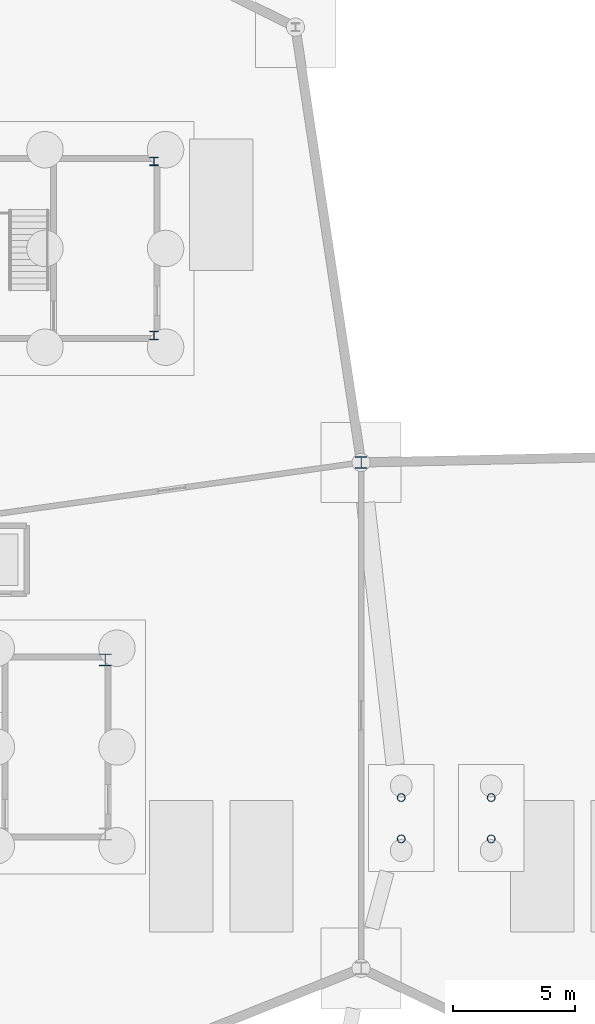
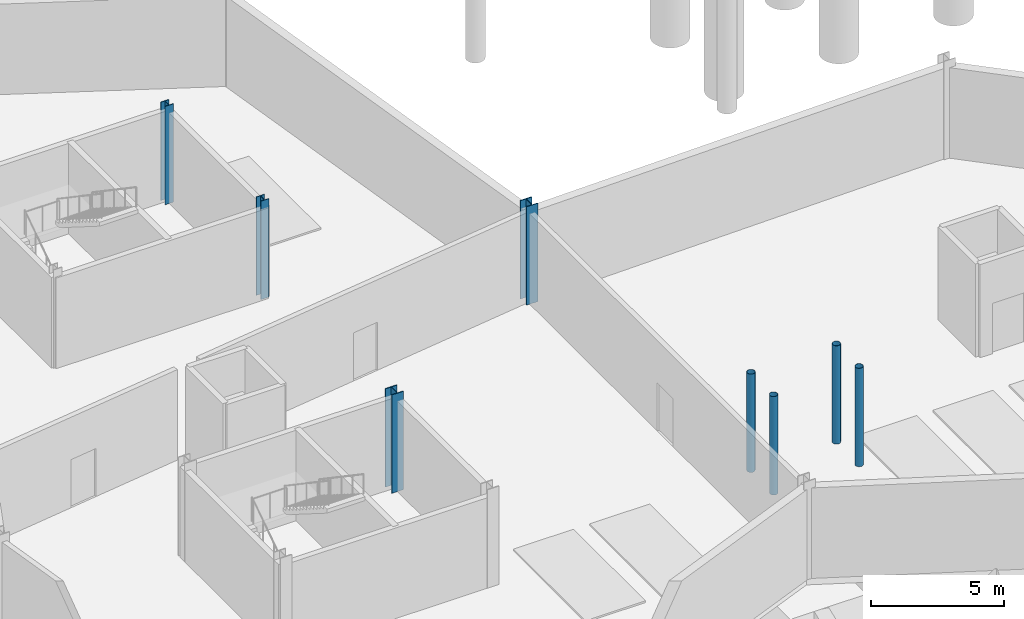
# One storey, part 13 of 37: 8 columns.
"""IFC4 building model written with IfcOpenShell, lengths in metres."""

import ifcopenshell
import ifcopenshell.guid

model = None  # the IFC model being written
_history = None  # IfcOwnerHistory: only IFC2X3 demands one
_inside = {}  # id of a spatial element -> (the spatial element, [elements in it])
_under = {}  # id of a project, library or spatial element -> (it, [spatial elements below it])
_declared = {}  # id of a project -> (the project, [libraries it declares])
_typed = {}  # id of a type object -> (the type object, [elements of that type])
_made_of = {}  # id of a material, layer set ... -> (it, [elements and type objects made of it])


def new_model(schema):
    """Start an empty IFC model of exactly this schema.

    Asked for "IFC4X3", IfcOpenShell would pick the latest addendum, in which some entities
    have other attributes; the version numbers below select the first issue.
    IFC2X3 requires an IfcOwnerHistory on every rooted entity: one is made here for all.
    """
    global model, _history
    if schema == "IFC4X3":
        model = ifcopenshell.file(schema_version=(4, 3, 0, 0))
    else:
        model = ifcopenshell.file(schema=schema)
    _inside.clear()
    _under.clear()
    _declared.clear()
    _typed.clear()
    _made_of.clear()
    _history = None
    if model.schema == "IFC2X3":
        org = make("IfcOrganization", Name="unknown")
        user = make(
            "IfcPersonAndOrganization",
            ThePerson=make("IfcPerson", FamilyName="unknown"),
            TheOrganization=org,
        )
        app = make(
            "IfcApplication",
            ApplicationDeveloper=org,
            Version="unknown",
            ApplicationFullName="unknown",
            ApplicationIdentifier="unknown",
        )
        _history = make(
            "IfcOwnerHistory",
            OwningUser=user,
            OwningApplication=app,
            ChangeAction="ADDED",
            CreationDate=0,
        )
    return model


def make(cls, **values):
    """One entity of the class cls with the attributes given. An attribute that is None is left unset."""
    return model.create_entity(
        cls, **{name: value for name, value in values.items() if value is not None}
    )


def rooted(cls, **values):
    """An entity with a GlobalId (a new one), such as an element, a storey or a relation."""
    return make(cls, GlobalId=ifcopenshell.guid.new(), OwnerHistory=_history, **values)


def si_unit(unit_type, name, prefix=None):
    """IfcSIUnit, for example si_unit("LENGTHUNIT", "METRE", prefix="MILLI")."""
    return make("IfcSIUnit", UnitType=unit_type, Prefix=prefix, Name=name)


def assignment(units):
    """IfcUnitAssignment: the units of a project."""
    return None if units is None else make("IfcUnitAssignment", Units=units)


def point(xyz):
    """IfcCartesianPoint."""
    return None if xyz is None else make("IfcCartesianPoint", Coordinates=xyz)


def direction(xyz):
    """IfcDirection."""
    return None if xyz is None else make("IfcDirection", DirectionRatios=xyz)


def frame(location, z_axis=None, x_axis=None):
    """IfcAxis2Placement3D, a coordinate frame: its origin and axes. An axis left out is left unset."""
    return make(
        "IfcAxis2Placement3D",
        Location=point(location),
        Axis=direction(z_axis),
        RefDirection=direction(x_axis),
    )


def frame_2d(location, x_axis=None):
    """IfcAxis2Placement2D, a coordinate frame in the plane: its origin and x axis."""
    return make(
        "IfcAxis2Placement2D", Location=point(location), RefDirection=direction(x_axis)
    )


def origin():
    """The frame at (0, 0, 0) with its axes left unset."""
    return frame((0.0, 0.0, 0.0))


def origin_2d():
    """The frame at (0, 0) in the plane with its x axis left unset."""
    return frame_2d((0.0, 0.0))


def place(relative_to, where):
    """IfcLocalPlacement: puts the frame where relative to a parent placement (None: the world)."""
    return make(
        "IfcLocalPlacement", PlacementRelTo=relative_to, RelativePlacement=where
    )


def context(
    kind, dimensions, precision=None, world=None, true_north=None, identifier=None
):
    """IfcGeometricRepresentationContext, for example the 3D "Model" context."""
    return make(
        "IfcGeometricRepresentationContext",
        ContextIdentifier=identifier,
        ContextType=kind,
        CoordinateSpaceDimension=dimensions,
        Precision=precision,
        WorldCoordinateSystem=world,
        TrueNorth=true_north,
    )


def subcontext(parent, identifier, kind, view, scale=None):
    """IfcGeometricRepresentationSubContext, for example "Body" below "Model"."""
    return make(
        "IfcGeometricRepresentationSubContext",
        ContextIdentifier=identifier,
        ContextType=kind,
        ParentContext=parent,
        TargetScale=scale,
        TargetView=view,
    )


def project(units=None, contexts=None):
    """IfcProject with its units and contexts."""
    return rooted(
        "IfcProject",
        Name="project",
        RepresentationContexts=contexts,
        UnitsInContext=assignment(units),
    )


def spatial(cls, under=None, at=None, **own):
    """A site, building, storey or space (cls), placed at a placement, below another one or the project."""
    s = rooted(cls, ObjectPlacement=at, **own)
    if under is not None:
        _under.setdefault(under.id(), (under, []))[1].append(s)
    return s


def profile(cls, at=None, kind="AREA", **sizes):
    """A parametric profile (cls). Its sizes go by their IFC names, for example OverallWidth=200.0."""
    return make(cls, ProfileType=kind, Position=at, **sizes)


def hollow_circle(**sizes):
    """IfcCircleHollowProfileDef."""
    return profile("IfcCircleHollowProfileDef", **sizes)


def i_section(**sizes):
    """IfcIShapeProfileDef."""
    return profile("IfcIShapeProfileDef", **sizes)


def extrude(swept, where, along, depth):
    """IfcExtrudedAreaSolid: the profile swept, set in the frame where, extruded along a direction by depth."""
    return make(
        "IfcExtrudedAreaSolid",
        SweptArea=swept,
        Position=where,
        ExtrudedDirection=direction(along),
        Depth=depth,
    )


def shape(context_of_items, identifier, shape_type, items):
    """IfcShapeRepresentation: the items that make up one representation, for example the "Body"."""
    return make(
        "IfcShapeRepresentation",
        ContextOfItems=context_of_items,
        RepresentationIdentifier=identifier,
        RepresentationType=shape_type,
        Items=items,
    )


def material(Name=None, Category=None):
    """IfcMaterial."""
    return make("IfcMaterial", Name=Name, Category=Category)


def material_profile(
    of_material, cross_section, Name=None, Category=None, Priority=None
):
    """IfcMaterialProfile: a cross section and its material."""
    return make(
        "IfcMaterialProfile",
        Name=Name,
        Material=of_material,
        Profile=cross_section,
        Priority=Priority,
        Category=Category,
    )


def profile_set(profiles, Name=None, composite=None):
    """IfcMaterialProfileSet."""
    return make(
        "IfcMaterialProfileSet",
        Name=Name,
        MaterialProfiles=profiles,
        CompositeProfile=composite,
    )


def made_of(thing, what):
    """Note that an element or type object is made of a material, layer set ...; save() writes the relation."""
    if what is not None:
        _made_of.setdefault(what.id(), (what, []))[1].append(thing)
    return thing


def type_object(cls, material=None, **own):
    """A type object (cls), such as IfcWallType, which elements share."""
    return made_of(rooted(cls, **own), material)


def element(
    cls,
    number,
    at=None,
    inside=None,
    cuts=None,
    type_object=None,
    material=None,
    context=None,
    identifier="Body",
    shape_type=None,
    held_by="IfcProductDefinitionShape",
    body=None,
    shapes=None,
    **own,
):
    """One element of the class cls, such as IfcWall. Its Tag is "e" and its number.

    at: its placement. inside: the storey or other place that contains it. cuts: it is an
    opening in that element (IfcRelVoidsElement). A single representation is given by context,
    identifier, shape_type and body (its items); several are given by shapes. held_by: the class
    of the entity that holds the representations. save() writes the other relations.
    """
    e = rooted(cls, Tag="e%d" % number, ObjectPlacement=at, **own)
    if body is not None:
        shapes = [shape(context, identifier, shape_type, body)]
    if shapes is not None:
        e.Representation = make(held_by, Representations=shapes)
    if inside is not None:
        _inside.setdefault(inside.id(), (inside, []))[1].append(e)
    if cuts is not None:
        rooted(
            "IfcRelVoidsElement", RelatingBuildingElement=cuts, RelatedOpeningElement=e
        )
    if type_object is not None:
        _typed.setdefault(type_object.id(), (type_object, []))[1].append(e)
    return made_of(e, material)


def aggregate(whole, parts):
    """IfcRelAggregates: a whole, such as a stair, and the parts it consists of."""
    return rooted("IfcRelAggregates", RelatingObject=whole, RelatedObjects=parts)


def save(model, path):
    """Write the relations noted so far, then the file.

    IfcRelAggregates (storeys below a building ...), IfcRelContainedInSpatialStructure (elements
    in a storey), IfcRelDefinesByType, IfcRelAssociatesMaterial and IfcRelDeclares: one each for
    every whole, place, type object, material and project.
    """
    for whole, parts in _under.values():
        aggregate(whole, parts)
    for where, things in _inside.values():
        rooted(
            "IfcRelContainedInSpatialStructure",
            RelatedElements=things,
            RelatingStructure=where,
        )
    for kind, things in _typed.values():
        rooted("IfcRelDefinesByType", RelatedObjects=things, RelatingType=kind)
    for what, things in _made_of.values():
        rooted("IfcRelAssociatesMaterial", RelatedObjects=things, RelatingMaterial=what)
    for by, libraries in _declared.values():
        rooted("IfcRelDeclares", RelatingContext=by, RelatedDefinitions=libraries)
    model.write(path)


model = new_model("IFC4")

# Units and contexts
model_context = context("Model", 3, precision=1e-05, world=origin(), true_north=direction((0.0, 1.0)))
body_context = subcontext(model_context, "Body", "Model", "MODEL_VIEW")
ifc_project = project(units=[si_unit("LENGTHUNIT", "METRE"), si_unit("AREAUNIT", "SQUARE_METRE"), si_unit("VOLUMEUNIT", "CUBIC_METRE"), si_unit("PLANEANGLEUNIT", "RADIAN"), si_unit("MASSUNIT", "GRAM", prefix="KILO")], contexts=[model_context])

# Site, building, storey
site_placement = place(None, origin())
site = spatial("IfcSite", under=ifc_project, at=site_placement, CompositionType="ELEMENT")
building_placement = place(site_placement, origin())
building = spatial("IfcBuilding", under=site, at=building_placement, Name="Tameran Prism Museum", CompositionType="ELEMENT")
storey_placement = place(building_placement, frame((0.0, 0.0, -4.5)))
storey = spatial("IfcBuildingStorey", under=building, at=storey_placement, Name="B1", CompositionType="ELEMENT", Elevation=-4.5)

# Columns
ifc_material_1 = material(Name="Steel Grade C350L0 (350 MPa)", Category="steel")
ifc_material_profile_1 = material_profile(ifc_material_1, hollow_circle(Radius=0.161865234375, WallThickness=0.010009765625, at=origin_2d()))
ifc_profile_set_1 = profile_set([ifc_material_profile_1])
column_type_1 = type_object("IfcColumnType", Name="COL-CHS324", PredefinedType="COLUMN", material=ifc_profile_set_1)
for number, where, z_axis, x_axis, name in (
    (1, (79.14990234375, 32.719970703125, 0.0), (0.0, 0.0, 1.0), (1.0, 0.0, 0.0), "Atrium Stair B1 Support Column CAS-B1-1"),
    (2, (82.85009765625, 32.719970703125, 0.0), (0.0, 0.0, 1.0), (1.0, 0.0, 0.0), "Atrium Stair B1 Support Column CAS-B1-2"),
    (3, (79.14990234375, 34.419921875, 0.0), (0.0, 0.0, 1.0), (1.0, 0.0, 0.0), "Atrium Stair B1 Support Column CAS-B1-3"),
    (4, (82.85009765625, 34.419921875, 0.0), (0.0, 0.0, 1.0), (1.0, 0.0, 0.0), "Atrium Stair B1 Support Column CAS-B1-4"),
):
    element("IfcColumn", number, at=place(storey_placement, frame(where, z_axis=z_axis, x_axis=x_axis)), inside=storey, type_object=column_type_1, Name=name, PredefinedType="COLUMN", context=body_context, shape_type="SweptSolid", body=[
        extrude(hollow_circle(Radius=0.161865234375, WallThickness=0.010009765625, at=origin_2d()), origin(), (0.0, 0.0, 1.0), 4.5),
    ])
ifc_material_2 = material(Name="Steel Grade 350 (350 MPa)", Category="steel")
ifc_material_profile_2 = material_profile(ifc_material_2, i_section(OverallWidth=0.35009765625, OverallDepth=0.35009765625, WebThickness=0.02001953125, FlangeThickness=0.028076171875, at=origin_2d()))
ifc_profile_set_2 = profile_set([ifc_material_profile_2])
column_type_2 = type_object("IfcColumnType", Name="COL-WC350", PredefinedType="COLUMN", material=ifc_profile_set_2)
for number, where, z_axis, x_axis, name in (
    (5, (68.97998046875, 53.419921875, 0.0), (0.0, 0.0, 1.0), (1.0, 0.0, 0.0), "Column CC-8-2 B1"),
    (6, (68.97998046875, 60.580078125, 0.0), (0.0, 0.0, 1.0), (1.0, 0.0, 0.0), "Column CC-8-3 B1"),
):
    element("IfcColumn", number, at=place(storey_placement, frame(where, z_axis=z_axis, x_axis=x_axis)), inside=storey, type_object=column_type_2, Name=name, PredefinedType="COLUMN", context=body_context, shape_type="SweptSolid", body=[
        extrude(i_section(OverallWidth=0.35009765625, OverallDepth=0.35009765625, WebThickness=0.02001953125, FlangeThickness=0.028076171875, at=origin_2d()), origin(), (0.0, 0.0, 1.0), 4.5),
    ])
ifc_material_3 = material(Name="Steel Grade 350 (350 MPa)", Category="steel")
ifc_material_profile_3 = material_profile(ifc_material_3, i_section(OverallWidth=0.5, OverallDepth=0.5, WebThickness=0.02197265625, FlangeThickness=0.035888671875, at=origin_2d()))
ifc_profile_set_3 = profile_set([ifc_material_profile_3])
column_type_3 = type_object("IfcColumnType", Name="COL-WC500", PredefinedType="COLUMN", material=ifc_profile_set_3)
for number, where, z_axis, x_axis, name in (
    (7, (77.5, 48.199951171875, 0.0), (0.0, 0.0, 1.0), (1.0, 0.0, 0.0), "Column CV-35 B1"),
    (8, (66.97998046875, 40.080078125, 0.0), (0.0, 0.0, 1.0), (1.0, 0.0, 0.0), "Column CC-3-3 B1"),
):
    element("IfcColumn", number, at=place(storey_placement, frame(where, z_axis=z_axis, x_axis=x_axis)), inside=storey, type_object=column_type_3, Name=name, PredefinedType="COLUMN", context=body_context, shape_type="SweptSolid", body=[
        extrude(i_section(OverallWidth=0.5, OverallDepth=0.5, WebThickness=0.02197265625, FlangeThickness=0.035888671875, at=origin_2d()), origin(), (0.0, 0.0, 1.0), 4.5),
    ])

save(model, "model.ifc")
